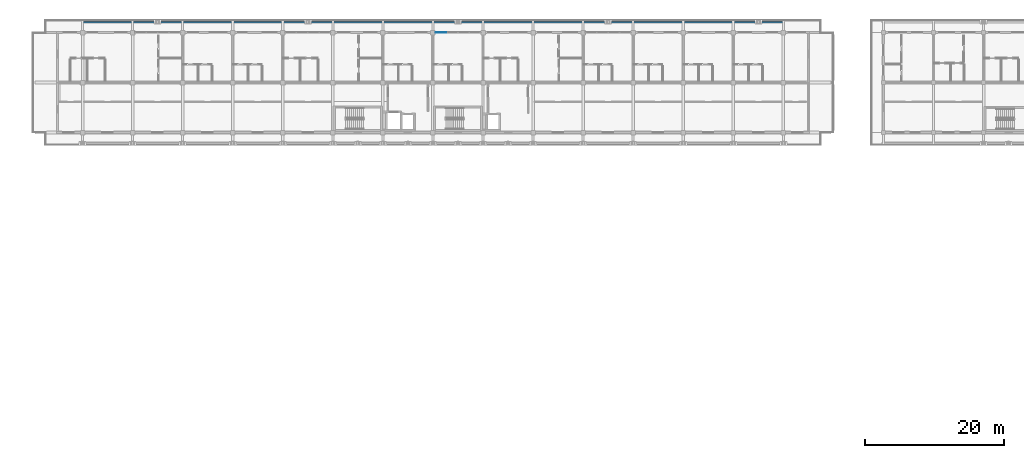
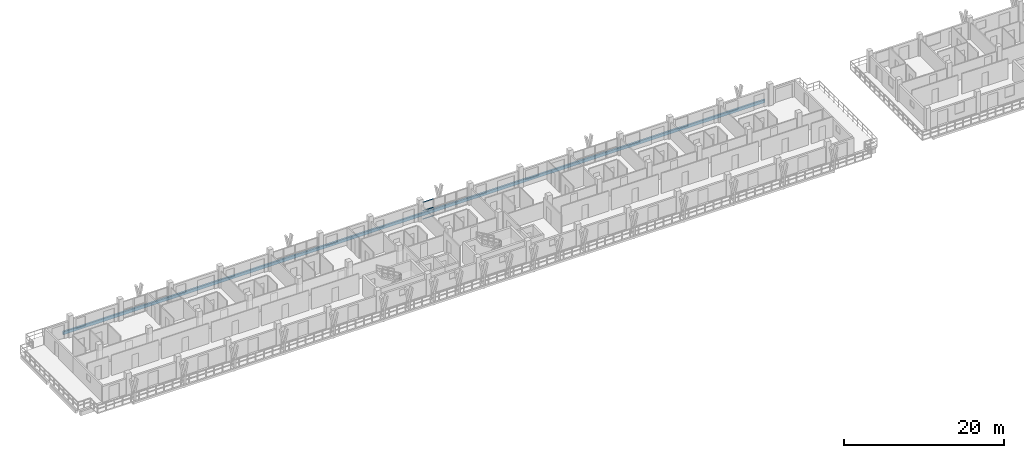
# One storey, part 15 of 75: 3 members, 1 beam, 1 element without a shape of its own.
"""IFC4 building model written with IfcOpenShell, lengths in metres."""

from ifc_helpers import new_model, si_unit, direction, frame, origin, origin_2d, place, context, subcontext, project, spatial, rectangle, hollow_rectangle, extrude, material, material_profile, profile_set, type_object, element, aggregate, save


model = new_model("IFC4")

# Units and contexts
model_context = context("Model", 3, precision=1e-05, world=origin(), true_north=direction((0.0, 1.0)))
body_context = subcontext(model_context, "Body", "Model", "MODEL_VIEW")
ifc_project = project(units=[si_unit("LENGTHUNIT", "METRE"), si_unit("AREAUNIT", "SQUARE_METRE"), si_unit("VOLUMEUNIT", "CUBIC_METRE"), si_unit("PLANEANGLEUNIT", "RADIAN"), si_unit("MASSUNIT", "GRAM", prefix="KILO")], contexts=[model_context])

# Site, building, storey
site_placement = place(None, origin())
site = spatial("IfcSite", under=ifc_project, at=site_placement, CompositionType="ELEMENT")
building_placement = place(site_placement, origin())
building = spatial("IfcBuilding", under=site, at=building_placement, Name="Suanplinth Sawtooth Commons", CompositionType="ELEMENT")
storey_placement = place(building_placement, frame((0.0, 0.0, 18.60009765625)))
storey = spatial("IfcBuildingStorey", under=building, at=storey_placement, Name="L05", CompositionType="ELEMENT", Elevation=18.60009765625)

# Beam
ifc_material_1 = material(Name="Precast concrete C40/50", Category="concrete")
ifc_material_profile_1 = material_profile(ifc_material_1, rectangle(XDim=0.25, YDim=0.449951171875, at=origin_2d()), Name="PC-SP 250x450")
ifc_profile_set_1 = profile_set([ifc_material_profile_1], Name="Precast concrete C40/50")
beam_type = type_object("IfcBeamType", Name="B-09", PredefinedType="SPANDREL", material=ifc_profile_set_1)
beam_placement = place(storey_placement, frame((7.050048828125, 123.919921875, -0.405029296875), z_axis=(1.0, 0.0, 0.0), x_axis=(0.0, 1.0, 0.0)))
element("IfcBeam", 1, at=beam_placement, inside=storey, type_object=beam_type, Name="Balcony Edge Fascia L05-A-N", PredefinedType="SPANDREL", context=body_context, shape_type="SweptSolid", body=[
    extrude(rectangle(XDim=0.25, YDim=0.449951171875, at=origin_2d()), origin(), (0.0, 0.0, 1.0), 101.099853515625),
])

# Curtain wall, members
ifc_material_2 = material(Name="Anodized aluminium and low-E glazing", Category="aluminium")
curtain_wall_type = type_object("IfcCurtainWallType", Name="CW-06", PredefinedType="USERDEFINED", material=ifc_material_2)
curtain_wall_placement = place(storey_placement, origin())
curtain_wall = element("IfcCurtainWall", 2, at=curtain_wall_placement, inside=storey, type_object=curtain_wall_type, Name="Curtain Wall CW-L05-A-LOUNGE-8", ObjectType="CURTAIN WALL", PredefinedType="USERDEFINED")
ifc_material_3 = material(Name="Anodized aluminium 6063-T6", Category="aluminium")
ifc_material_profile_2 = material_profile(ifc_material_3, hollow_rectangle(XDim=0.06494140625, YDim=0.1201171875, WallThickness=0.00390625, at=origin_2d()), Name="ALU-TRN 65x120")
ifc_profile_set_2 = profile_set([ifc_material_profile_2], Name="Anodized aluminium 6063-T6")
member_type = type_object("IfcMemberType", Name="M-15", PredefinedType="USERDEFINED", material=ifc_profile_set_2)
member_1_placement = place(storey_placement, frame((57.989990234375, 122.39990234375, 0.032470703125), z_axis=(1.0, 0.0, 0.0), x_axis=(0.0, 1.0, 0.0)))
member_1 = element("IfcMember", 3, at=member_1_placement, type_object=member_type, Name="CW-06 transom 1.1", ObjectType="TRANSOM", PredefinedType="USERDEFINED", context=body_context, shape_type="SweptSolid", body=[
    extrude(hollow_rectangle(XDim=0.06494140625, YDim=0.1201171875, WallThickness=0.00390625, at=origin_2d()), origin(), (0.0, 0.0, 1.0), 1.5400390625),
])
member_2_placement = place(storey_placement, frame((57.989990234375, 122.39990234375, 1.304931640625), z_axis=(1.0, 0.0, 0.0), x_axis=(0.0, 1.0, 0.0)))
member_2 = element("IfcMember", 4, at=member_2_placement, type_object=member_type, Name="CW-06 transom 1.2", ObjectType="TRANSOM", PredefinedType="USERDEFINED", context=body_context, shape_type="SweptSolid", body=[
    extrude(hollow_rectangle(XDim=0.06494140625, YDim=0.1201171875, WallThickness=0.00390625, at=origin_2d()), origin(), (0.0, 0.0, 1.0), 1.5400390625),
])
member_3_placement = place(storey_placement, frame((57.989990234375, 122.39990234375, 2.577392578125), z_axis=(1.0, 0.0, 0.0), x_axis=(0.0, 1.0, 0.0)))
member_3 = element("IfcMember", 5, at=member_3_placement, type_object=member_type, Name="CW-06 transom 1.3", ObjectType="TRANSOM", PredefinedType="USERDEFINED", context=body_context, shape_type="SweptSolid", body=[
    extrude(hollow_rectangle(XDim=0.06494140625, YDim=0.1201171875, WallThickness=0.00390625, at=origin_2d()), origin(), (0.0, 0.0, 1.0), 1.5400390625),
])
aggregate(curtain_wall, [member_1, member_2, member_3])

save(model, "model.ifc")
